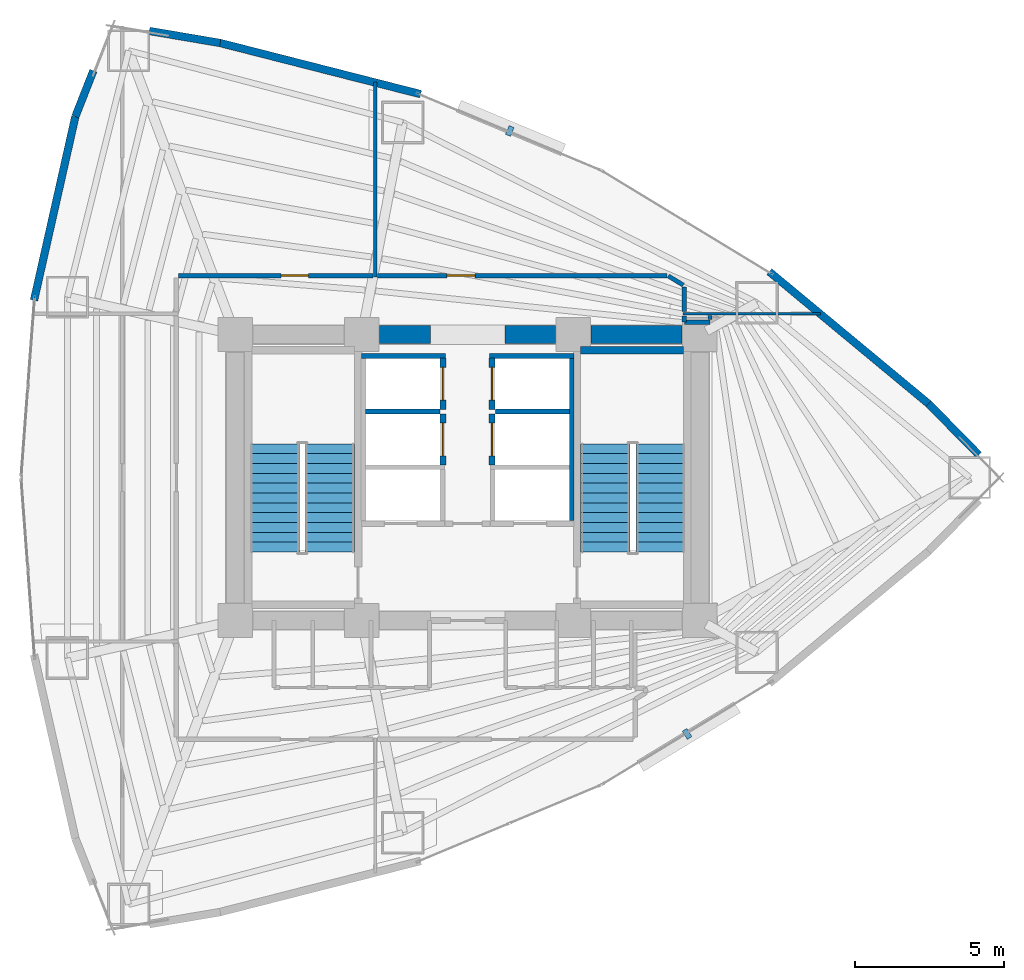
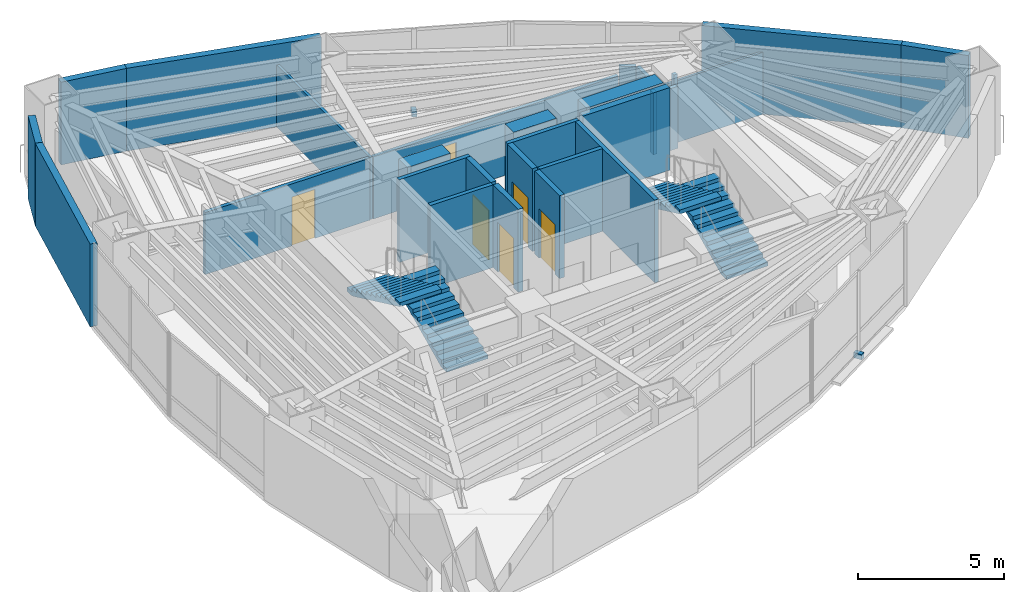
# One storey, part 15 of 17: 28 walls, 6 doors, 4 stair flights, 2 discrete accessories, 6 openings, 2 elements without a shape of their own.
"""IFC4 building model written with IfcOpenShell, lengths in metres."""

from ifc_helpers import new_model, si_unit, direction, frame, frame_2d, origin, origin_2d, place, context, subcontext, project, spatial, polyline, rectangle, outline, extrude, material, layer, layer_set, type_object, element, fill, aggregate, save


model = new_model("IFC4")

# Units and contexts
model_context = context("Model", 3, precision=1e-05, world=origin(), true_north=direction((0.0, 1.0)))
body_context = subcontext(model_context, "Body", "Model", "MODEL_VIEW")
ifc_project = project(units=[si_unit("LENGTHUNIT", "METRE"), si_unit("AREAUNIT", "SQUARE_METRE"), si_unit("VOLUMEUNIT", "CUBIC_METRE"), si_unit("PLANEANGLEUNIT", "RADIAN"), si_unit("MASSUNIT", "GRAM", prefix="KILO")], contexts=[model_context])

# Site, building, storey
site_placement = place(None, origin())
site = spatial("IfcSite", under=ifc_project, at=site_placement, CompositionType="ELEMENT")
building_placement = place(site_placement, origin())
building = spatial("IfcBuilding", under=site, at=building_placement, Name="Menara Vayukalpa", CompositionType="ELEMENT")
storey_placement = place(building_placement, frame((0.0, 0.0, 42.47998046875)))
storey = spatial("IfcBuildingStorey", under=building, at=storey_placement, Name="L09", CompositionType="ELEMENT", Elevation=42.47998046875)

# Walls
ifc_material_1 = material(Name="Concrete C70/85", Category="concrete")
ifc_layer_1 = layer(ifc_material_1, 0.60009765625)
ifc_layer_set_1 = layer_set([ifc_layer_1], Name="Concrete C70/85")
wall_type_1 = type_object("IfcWallType", Name="WAL-CW600", PredefinedType="SHEAR", material=ifc_layer_set_1)
wall_1_placement = place(storey_placement, frame((22.64501953125, 26.800048828125, 0.0), z_axis=(0.0, 0.0, 1.0), x_axis=(1.0, 0.0, 0.0)))
element("IfcWall", 1, at=wall_1_placement, inside=storey, type_object=wall_type_1, Name="L09 Buttressed Core Shear Wall CWN2", PredefinedType="SHEAR", context=body_context, shape_type="SweptSolid", body=[
    extrude(rectangle(XDim=1.705078125, YDim=0.60009765625, at=frame_2d((0.8525390625, 0.0))), origin(), (0.0, 0.0, 1.0), 3.469970703125),
])
wall_2_placement = place(storey_placement, frame((26.85009765625, 26.800048828125, 0.0), z_axis=(0.0, 0.0, 1.0), x_axis=(1.0, 0.0, 0.0)))
element("IfcWall", 2, at=wall_2_placement, inside=storey, type_object=wall_type_1, Name="L09 Buttressed Core Shear Wall CWN3", PredefinedType="SHEAR", context=body_context, shape_type="SweptSolid", body=[
    extrude(rectangle(XDim=1.704833984375, YDim=0.60009765625, at=frame_2d((0.8525390625, 0.0))), origin(), (0.0, 0.0, 1.0), 3.469970703125),
])
wall_3_placement = place(storey_placement, frame((29.7451171875, 26.800048828125, 0.0), z_axis=(0.0, 0.0, 1.0), x_axis=(1.0, 0.0, 0.0)))
element("IfcWall", 3, at=wall_3_placement, inside=storey, type_object=wall_type_1, Name="L09 Buttressed Core Shear Wall CWN4", PredefinedType="SHEAR", context=body_context, shape_type="SweptSolid", body=[
    extrude(rectangle(XDim=3.059814453125, YDim=0.60009765625, at=frame_2d((1.52978515625, 0.0))), origin(), (0.0, 0.0, 1.0), 3.469970703125),
])
ifc_material_2 = material(Name="Insulated Precast Concrete C40/50", Category="concrete")
ifc_layer_2 = layer(ifc_material_2, 0.260009765625)
ifc_layer_set_2 = layer_set([ifc_layer_2], Name="Insulated Precast Concrete C40/50")
wall_type_2 = type_object("IfcWallType", Name="WAL-EXT260", PredefinedType="PARTITIONING", material=ifc_layer_set_2)
wall_4_placement = place(storey_placement, frame((41.08056640625, 24.479248046875, 0.0), z_axis=(0.0, 0.0, 1.0), x_axis=(0.70059851419, -0.713555689427, 0.0)))
element("IfcWall", 4, at=wall_4_placement, inside=storey, type_object=wall_type_2, Name="L09 Perimeter Terracotta Pier Wall 02", PredefinedType="PARTITIONING", context=body_context, shape_type="SweptSolid", body=[
    extrude(rectangle(XDim=2.411865234375, YDim=0.260009765625, at=frame_2d((1.2060546875, 0.0))), origin(), (0.0, 0.0, 1.0), 3.469970703125),
])
for number, where, z_axis, x_axis, name in (
    (5, (35.732421875, 28.91357421875, 0.0), (0.0, 0.0, 1.0), (0.769754596928, -0.638339925517, 0.0), "L09 Perimeter Terracotta Pier Wall 03"),
    (6, (17.28173828125, 36.595703125, 0.0), (0.0, 0.0, 1.0), (0.968977974408, -0.247147092057, 0.0), "L09 Perimeter Terracotta Pier Wall 06"),
):
    element("IfcWall", number, at=place(storey_placement, frame(where, z_axis=z_axis, x_axis=x_axis)), inside=storey, type_object=wall_type_2, Name=name, PredefinedType="PARTITIONING", context=body_context, shape_type="SweptSolid", body=[
        extrude(rectangle(XDim=6.959228515625, YDim=0.260009765625, at=frame_2d((3.4794921875, 0.0))), origin(), (0.0, 0.0, 1.0), 3.469970703125),
    ])
wall_5_placement = place(storey_placement, frame((14.915283203125, 36.996826171875, 0.0), z_axis=(0.0, 0.0, 1.0), x_axis=(0.985905469923, -0.167303330437, 0.0)))
element("IfcWall", 7, at=wall_5_placement, inside=storey, type_object=wall_type_2, Name="L09 Perimeter Terracotta Pier Wall 07", PredefinedType="PARTITIONING", context=body_context, shape_type="SweptSolid", body=[
    extrude(rectangle(XDim=2.412109375, YDim=0.260009765625, at=frame_2d((1.2060546875, 0.0))), origin(), (0.0, 0.0, 1.0), 3.469970703125),
])
wall_6_placement = place(storey_placement, frame((12.427490234375, 34.119140625, 0.0), z_axis=(0.0, 0.0, 1.0), x_axis=(0.365666052462, 0.930746119023, 0.0)))
element("IfcWall", 8, at=wall_6_placement, inside=storey, type_object=wall_type_2, Name="L09 Perimeter Terracotta Pier Wall 08", PredefinedType="PARTITIONING", context=body_context, shape_type="SweptSolid", body=[
    extrude(rectangle(XDim=1.656494140625, YDim=0.260009765625, at=frame_2d((0.828125, 0.0))), origin(), (0.0, 0.0, 1.0), 3.469970703125),
])
wall_7_placement = place(storey_placement, frame((11.0400390625, 27.952392578125, 0.0), z_axis=(0.0, 0.0, 1.0), x_axis=(0.219502085231, 0.975612030768, 0.0)))
element("IfcWall", 9, at=wall_7_placement, inside=storey, type_object=wall_type_2, Name="L09 Perimeter Terracotta Pier Wall 09", PredefinedType="PARTITIONING", context=body_context, shape_type="SweptSolid", body=[
    extrude(rectangle(XDim=6.32080078125, YDim=0.260009765625, at=frame_2d((3.160400390625, 0.0))), origin(), (0.0, 0.0, 1.0), 3.469970703125),
])
ifc_material_3 = material(Name="Lightweight Concrete Blockwork C16/20", Category="masonry")
ifc_layer_3 = layer(ifc_material_3, 0.159912109375)
ifc_layer_set_3 = layer_set([ifc_layer_3], Name="Lightweight Concrete Blockwork C16/20")
wall_type_3 = type_object("IfcWallType", Name="WAL-FR150", PredefinedType="PARTITIONING", material=ifc_layer_set_3)
wall_8_placement = place(storey_placement, frame((22.179931640625, 24.215087890625, 0.0), z_axis=(0.0, 0.0, 1.0), x_axis=(1.0, 0.0, 0.0)))
element("IfcWall", 10, at=wall_8_placement, inside=storey, type_object=wall_type_3, Name="L09 Interior Partition IW-L09-SHM-W23", PredefinedType="PARTITIONING", context=body_context, shape_type="SweptSolid", body=[
    extrude(rectangle(XDim=2.489990234375, YDim=0.159912109375, at=frame_2d((1.2451171875, 0.0))), origin(), (0.0, 0.0, 1.0), 3.469970703125),
])
wall_9_placement = place(storey_placement, frame((22.030029296875, 26.0849609375, 0.0), z_axis=(0.0, 0.0, 1.0), x_axis=(1.0, 0.0, 0.0)))
element("IfcWall", 11, at=wall_9_placement, inside=storey, type_object=wall_type_3, Name="L09 Interior Partition IW-L09-SHM-W3N", PredefinedType="PARTITIONING", context=body_context, shape_type="SweptSolid", body=[
    extrude(rectangle(XDim=2.830078125, YDim=0.159912109375, at=frame_2d((1.4150390625, 0.0))), origin(), (0.0, 0.0, 1.0), 3.469970703125),
])
wall_10_placement = place(storey_placement, frame((29.094970703125, 20.56005859375, 0.0), z_axis=(0.0, 0.0, 1.0), x_axis=(0.0, 1.0, 0.0)))
element("IfcWall", 12, at=wall_10_placement, inside=storey, type_object=wall_type_3, Name="L09 Interior Partition IW-L09-SHW-EE", PredefinedType="PARTITIONING", context=body_context, shape_type="SweptSolid", body=[
    extrude(rectangle(XDim=5.449951171875, YDim=0.159912109375, at=frame_2d((2.72509765625, 0.0))), origin(), (0.0, 0.0, 1.0), 3.469970703125),
])
wall_11_placement = place(storey_placement, frame((26.530029296875, 24.215087890625, 0.0), z_axis=(0.0, 0.0, 1.0), x_axis=(1.0, 0.0, 0.0)))
element("IfcWall", 13, at=wall_11_placement, inside=storey, type_object=wall_type_3, Name="L09 Interior Partition IW-L09-SHM-E32", PredefinedType="PARTITIONING", context=body_context, shape_type="SweptSolid", body=[
    extrude(rectangle(XDim=2.489990234375, YDim=0.159912109375, at=frame_2d((1.2451171875, 0.0))), origin(), (0.0, 0.0, 1.0), 3.469970703125),
])
wall_12_placement = place(storey_placement, frame((26.340087890625, 26.0849609375, 0.0), z_axis=(0.0, 0.0, 1.0), x_axis=(1.0, 0.0, 0.0)))
element("IfcWall", 14, at=wall_12_placement, inside=storey, type_object=wall_type_3, Name="L09 Interior Partition IW-L09-SHM-E2N", PredefinedType="PARTITIONING", context=body_context, shape_type="SweptSolid", body=[
    extrude(rectangle(XDim=2.829833984375, YDim=0.159912109375, at=frame_2d((1.4150390625, 0.0))), origin(), (0.0, 0.0, 1.0), 3.469970703125),
])

# Wall, opening, door
ifc_material_4 = material(Name="Lightweight Concrete Blockwork C16/20", Category="masonry")
ifc_layer_4 = layer(ifc_material_4, 0.199951171875)
ifc_layer_set_4 = layer_set([ifc_layer_4], Name="Lightweight Concrete Blockwork C16/20")
wall_type_4 = type_object("IfcWallType", Name="WAL-FR200", PredefinedType="PARTITIONING", material=ifc_layer_set_4)
wall_13_placement = place(storey_placement, frame((24.780029296875, 22.419921875, 0.0), z_axis=(0.0, 0.0, 1.0), x_axis=(0.0, 1.0, 0.0)))
wall_13 = element("IfcWall", 15, at=wall_13_placement, inside=storey, type_object=wall_type_4, Name="L09 Interior Partition IW-L09-SH-W2", PredefinedType="PARTITIONING", context=body_context, shape_type="SweptSolid", body=[
    extrude(rectangle(XDim=1.719970703125, YDim=0.199951171875, at=frame_2d((0.85986328125, 0.0))), origin(), (0.0, 0.0, 1.0), 3.469970703125),
])
opening_1_placement = place(wall_13_placement, frame((0.31005859375, 0.0, 0.0)))
opening_1 = element("IfcOpeningElement", 16, at=opening_1_placement, cuts=wall_13, Name="Opening LD1", PredefinedType="OPENING", context=body_context, shape_type="SweptSolid", body=[
    extrude(rectangle(XDim=1.10009765625, YDim=2.080078125, at=frame_2d((0.550048828125, 1.0400390625))), frame((0.0, 0.10986328125, 0.0), z_axis=(0.0, -1.0, 0.0), x_axis=(1.0, 0.0, 0.0)), (0.0, 0.0, 1.0), 0.219970703125),
])
ifc_material_5 = material(Name="Brushed Stainless Steel 316 Lift Door", Category="steel")
door_type_1 = type_object("IfcDoorType", Name="DR-LD110", OperationType="NOTDEFINED", PredefinedType="DOOR", material=ifc_material_5)
door_1_placement = place(opening_1_placement, origin())
door_1 = element("IfcDoor", 17, at=door_1_placement, inside=storey, type_object=door_type_1, Name="L09 Interior Door DR-L09-LD-W2", OperationType="DOUBLE_DOOR_SLIDING", OverallHeight=2.080078125, OverallWidth=1.10009765625, PredefinedType="DOOR", context=body_context, shape_type="SweptSolid", body=[
    extrude(rectangle(XDim=1.10009765625, YDim=2.080078125, at=frame_2d((0.550048828125, 1.0400390625))), frame((0.0, 0.02490234375, 0.0), z_axis=(0.0, -1.0, 0.0), x_axis=(1.0, 0.0, 0.0)), (0.0, 0.0, 1.0), 0.050048828125),
])
fill(opening_1, door_1)

wall_14_placement = place(storey_placement, frame((24.780029296875, 24.2900390625, 0.0), z_axis=(0.0, 0.0, 1.0), x_axis=(0.0, 1.0, 0.0)))
wall_14 = element("IfcWall", 18, at=wall_14_placement, inside=storey, type_object=wall_type_4, Name="L09 Interior Partition IW-L09-SH-W3", PredefinedType="PARTITIONING", context=body_context, shape_type="SweptSolid", body=[
    extrude(rectangle(XDim=1.719970703125, YDim=0.199951171875, at=frame_2d((0.85986328125, 0.0))), origin(), (0.0, 0.0, 1.0), 3.469970703125),
])
opening_2_placement = place(wall_14_placement, frame((0.31005859375, 0.0, 0.0)))
opening_2 = element("IfcOpeningElement", 19, at=opening_2_placement, cuts=wall_14, Name="Opening LD1", PredefinedType="OPENING", context=body_context, shape_type="SweptSolid", body=[
    extrude(rectangle(XDim=1.10009765625, YDim=2.080078125, at=frame_2d((0.550048828125, 1.0400390625))), frame((0.0, 0.10986328125, 0.0), z_axis=(0.0, -1.0, 0.0), x_axis=(1.0, 0.0, 0.0)), (0.0, 0.0, 1.0), 0.219970703125),
])
door_2_placement = place(opening_2_placement, origin())
door_2 = element("IfcDoor", 20, at=door_2_placement, inside=storey, type_object=door_type_1, Name="L09 Interior Door DR-L09-LD-W3", OperationType="DOUBLE_DOOR_SLIDING", OverallHeight=2.080078125, OverallWidth=1.10009765625, PredefinedType="DOOR", context=body_context, shape_type="SweptSolid", body=[
    extrude(rectangle(XDim=1.10009765625, YDim=2.080078125, at=frame_2d((0.550048828125, 1.0400390625))), frame((0.0, 0.02490234375, 0.0), z_axis=(0.0, -1.0, 0.0), x_axis=(1.0, 0.0, 0.0)), (0.0, 0.0, 1.0), 0.050048828125),
])
fill(opening_2, door_2)

wall_15_placement = place(storey_placement, frame((26.419921875, 22.419921875, 0.0), z_axis=(0.0, 0.0, 1.0), x_axis=(0.0, 1.0, 0.0)))
wall_15 = element("IfcWall", 21, at=wall_15_placement, inside=storey, type_object=wall_type_4, Name="L09 Interior Partition IW-L09-SH-E3", PredefinedType="PARTITIONING", context=body_context, shape_type="SweptSolid", body=[
    extrude(rectangle(XDim=1.719970703125, YDim=0.199951171875, at=frame_2d((0.85986328125, 0.0))), origin(), (0.0, 0.0, 1.0), 3.469970703125),
])
opening_3_placement = place(wall_15_placement, frame((0.31005859375, 0.0, 0.0)))
opening_3 = element("IfcOpeningElement", 22, at=opening_3_placement, cuts=wall_15, Name="Opening LD1", PredefinedType="OPENING", context=body_context, shape_type="SweptSolid", body=[
    extrude(rectangle(XDim=1.10009765625, YDim=2.080078125, at=frame_2d((0.550048828125, 1.0400390625))), frame((0.0, 0.10986328125, 0.0), z_axis=(0.0, -1.0, 0.0), x_axis=(1.0, 0.0, 0.0)), (0.0, 0.0, 1.0), 0.219970703125),
])
door_3_placement = place(opening_3_placement, origin())
door_3 = element("IfcDoor", 23, at=door_3_placement, inside=storey, type_object=door_type_1, Name="L09 Interior Door DR-L09-LD-E3", OperationType="DOUBLE_DOOR_SLIDING", OverallHeight=2.080078125, OverallWidth=1.10009765625, PredefinedType="DOOR", context=body_context, shape_type="SweptSolid", body=[
    extrude(rectangle(XDim=1.10009765625, YDim=2.080078125, at=frame_2d((0.550048828125, 1.0400390625))), frame((0.0, 0.02490234375, 0.0), z_axis=(0.0, -1.0, 0.0), x_axis=(1.0, 0.0, 0.0)), (0.0, 0.0, 1.0), 0.050048828125),
])
fill(opening_3, door_3)

wall_16_placement = place(storey_placement, frame((26.419921875, 24.2900390625, 0.0), z_axis=(0.0, 0.0, 1.0), x_axis=(0.0, 1.0, 0.0)))
wall_16 = element("IfcWall", 24, at=wall_16_placement, inside=storey, type_object=wall_type_4, Name="L09 Interior Partition IW-L09-SH-E2", PredefinedType="PARTITIONING", context=body_context, shape_type="SweptSolid", body=[
    extrude(rectangle(XDim=1.719970703125, YDim=0.199951171875, at=frame_2d((0.85986328125, 0.0))), origin(), (0.0, 0.0, 1.0), 3.469970703125),
])
opening_4_placement = place(wall_16_placement, frame((0.31005859375, 0.0, 0.0)))
opening_4 = element("IfcOpeningElement", 25, at=opening_4_placement, cuts=wall_16, Name="Opening LD1", PredefinedType="OPENING", context=body_context, shape_type="SweptSolid", body=[
    extrude(rectangle(XDim=1.10009765625, YDim=2.080078125, at=frame_2d((0.550048828125, 1.0400390625))), frame((0.0, 0.10986328125, 0.0), z_axis=(0.0, -1.0, 0.0), x_axis=(1.0, 0.0, 0.0)), (0.0, 0.0, 1.0), 0.219970703125),
])
door_4_placement = place(opening_4_placement, origin())
door_4 = element("IfcDoor", 26, at=door_4_placement, inside=storey, type_object=door_type_1, Name="L09 Interior Door DR-L09-LD-E2", OperationType="DOUBLE_DOOR_SLIDING", OverallHeight=2.080078125, OverallWidth=1.10009765625, PredefinedType="DOOR", context=body_context, shape_type="SweptSolid", body=[
    extrude(rectangle(XDim=1.10009765625, YDim=2.080078125, at=frame_2d((0.550048828125, 1.0400390625))), frame((0.0, 0.02490234375, 0.0), z_axis=(0.0, -1.0, 0.0), x_axis=(1.0, 0.0, 0.0)), (0.0, 0.0, 1.0), 0.050048828125),
])
fill(opening_4, door_4)

# Walls
ifc_material_6 = material(Name="Glazed Demountable Office Partition", Category="glass")
ifc_layer_5 = layer(ifc_material_6, 0.094970703125)
ifc_layer_set_5 = layer_set([ifc_layer_5], Name="Glazed Demountable Office Partition")
wall_type_5 = type_object("IfcWallType", Name="WAL-PT100", PredefinedType="PARTITIONING", material=ifc_layer_set_5)
wall_17_placement = place(storey_placement, frame((32.830078125, 27.5, 0.0), z_axis=(0.0, 0.0, 1.0), x_axis=(1.0, 0.0, 0.0)))
element("IfcWall", 27, at=wall_17_placement, inside=storey, type_object=wall_type_5, Name="L09 Interior Partition IW-L09-RDIV06", PredefinedType="PARTITIONING", context=body_context, shape_type="SweptSolid", body=[
    extrude(rectangle(XDim=4.622802734375, YDim=0.094970703125, at=frame_2d((2.3115234375, 0.0))), origin(), (0.0, 0.0, 1.0), 2.60009765625),
])
ifc_material_7 = material(Name="Acoustic Mineral Stud Partition", Category="masonry")
ifc_layer_6 = layer(ifc_material_7, 0.110107421875)
ifc_layer_set_6 = layer_set([ifc_layer_6], Name="Acoustic Mineral Stud Partition")
wall_type_6 = type_object("IfcWallType", Name="WAL-PT110", PredefinedType="PARTITIONING", material=ifc_layer_set_6)
wall_18_placement = place(storey_placement, frame((22.5, 28.72998046875, 0.0), z_axis=(0.0, 0.0, 1.0), x_axis=(0.0, 1.0, 0.0)))
element("IfcWall", 28, at=wall_18_placement, inside=storey, type_object=wall_type_6, Name="L09 Interior Partition IW-L09-RDIV03", PredefinedType="PARTITIONING", context=body_context, shape_type="SweptSolid", body=[
    extrude(rectangle(XDim=6.545166015625, YDim=0.110107421875, at=frame_2d((3.2724609375, 0.0))), origin(), (0.0, 0.0, 1.0), 2.60009765625),
])
ifc_material_8 = material(Name="Gypsum Drywall Acoustic Stud Assembly", Category="masonry")
ifc_layer_7 = layer(ifc_material_8, 0.14501953125)
ifc_layer_set_7 = layer_set([ifc_layer_7], Name="Gypsum Drywall Acoustic Stud Assembly")
wall_type_7 = type_object("IfcWallType", Name="WAL-PT150", PredefinedType="PARTITIONING", material=ifc_layer_set_7)
wall_19_placement = place(storey_placement, frame((33.739990234375, 27.219970703125, 0.0), z_axis=(0.0, 0.0, 1.0), x_axis=(-1.0, 0.0, 0.0)))
element("IfcWall", 29, at=wall_19_placement, inside=storey, type_object=wall_type_7, Name="L09 Interior Partition IW-L09-CRM04-6", PredefinedType="PARTITIONING", context=body_context, shape_type="SweptSolid", body=[
    extrude(rectangle(XDim=0.860107421875, YDim=0.14501953125, at=frame_2d((0.43017578125, 0.0))), origin(), (0.0, 0.0, 1.0), 2.60009765625),
])
wall_20_placement = place(storey_placement, frame((32.8798828125, 27.219970703125, 0.0), z_axis=(0.0, 0.0, 1.0), x_axis=(0.0, 1.0, 0.0)))
element("IfcWall", 30, at=wall_20_placement, inside=storey, type_object=wall_type_7, Name="L09 Interior Partition IW-L09-CRM04-7", PredefinedType="PARTITIONING", context=body_context, shape_type="SweptSolid", body=[
    extrude(rectangle(XDim=0.2099609375, YDim=0.14501953125, at=frame_2d((0.10498046875, 0.0))), origin(), (0.0, 0.0, 1.0), 2.60009765625),
])
wall_21_placement = place(storey_placement, frame((32.8798828125, 27.570068359375, 0.0), z_axis=(0.0, 0.0, 1.0), x_axis=(0.0, 1.0, 0.0)))
element("IfcWall", 31, at=wall_21_placement, inside=storey, type_object=wall_type_7, Name="L09 Interior Partition IW-L09-CRM05-1", PredefinedType="PARTITIONING", context=body_context, shape_type="SweptSolid", body=[
    extrude(rectangle(XDim=0.82470703125, YDim=0.14501953125, at=frame_2d((0.412353515625, 0.0))), origin(), (0.0, 0.0, 1.0), 3.0),
])
wall_22_placement = place(storey_placement, frame((32.841552734375, 28.463134765625, 0.0), z_axis=(0.0, 0.0, 1.0), x_axis=(-0.854807247113, 0.518945633264, 0.0)))
element("IfcWall", 32, at=wall_22_placement, inside=storey, type_object=wall_type_7, Name="L09 Interior Partition IW-L09-CRM05-2", PredefinedType="PARTITIONING", context=body_context, shape_type="SweptSolid", body=[
    extrude(rectangle(XDim=0.588134765625, YDim=0.14501953125, at=frame_2d((0.2939453125, 0.0))), origin(), (0.0, 0.0, 1.0), 3.0),
])

# Wall, opening, door
wall_23_placement = place(storey_placement, frame((32.29736328125, 28.780029296875, 0.0), z_axis=(0.0, 0.0, 1.0), x_axis=(-1.0, 0.0, 0.0)))
wall_23 = element("IfcWall", 33, at=wall_23_placement, inside=storey, type_object=wall_type_7, Name="L09 Interior Partition IW-L09-CRM05-3", PredefinedType="PARTITIONING", context=body_context, shape_type="SweptSolid", body=[
    extrude(rectangle(XDim=9.727294921875, YDim=0.14501953125, at=frame_2d((4.86376953125, 0.0))), origin(), (0.0, 0.0, 1.0), 2.60009765625),
])
opening_5_placement = place(wall_23_placement, frame((6.443115234375, 0.0, 0.0)))
opening_5 = element("IfcOpeningElement", 34, at=opening_5_placement, cuts=wall_23, Name="Opening ID5", PredefinedType="OPENING", context=body_context, shape_type="SweptSolid", body=[
    extrude(rectangle(XDim=0.949951171875, YDim=2.06005859375, at=frame_2d((0.47509765625, 1.030029296875))), frame((0.0, 0.08251953125, 0.0), z_axis=(0.0, -1.0, 0.0), x_axis=(1.0, 0.0, 0.0)), (0.0, 0.0, 1.0), 0.1650390625),
])
ifc_material_9 = material(Name="Acoustic Hardwood Veneer Timber Door", Category="wood")
door_type_2 = type_object("IfcDoorType", Name="DR-INT95", OperationType="NOTDEFINED", PredefinedType="DOOR", material=ifc_material_9)
door_5_placement = place(opening_5_placement, origin())
door_5 = element("IfcDoor", 35, at=door_5_placement, inside=storey, type_object=door_type_2, Name="L09 Interior Door DR-L09-RM05", OperationType="SINGLE_SWING_LEFT", OverallHeight=2.06005859375, OverallWidth=0.949951171875, PredefinedType="DOOR", context=body_context, shape_type="SweptSolid", body=[
    extrude(rectangle(XDim=0.949951171875, YDim=2.06005859375, at=frame_2d((0.47509765625, 1.030029296875))), frame((0.0, 0.02490234375, 0.0), z_axis=(0.0, -1.0, 0.0), x_axis=(1.0, 0.0, 0.0)), (0.0, 0.0, 1.0), 0.050048828125),
])
fill(opening_5, door_5)

wall_24_placement = place(storey_placement, frame((22.429931640625, 28.780029296875, 0.0), z_axis=(0.0, 0.0, 1.0), x_axis=(-1.0, 0.0, 0.0)))
wall_24 = element("IfcWall", 36, at=wall_24_placement, inside=storey, type_object=wall_type_7, Name="L09 Interior Partition IW-L09-CRM06-1", PredefinedType="PARTITIONING", context=body_context, shape_type="SweptSolid", body=[
    extrude(rectangle(XDim=6.530029296875, YDim=0.14501953125, at=frame_2d((3.26513671875, 0.0))), origin(), (0.0, 0.0, 1.0), 2.60009765625),
])
opening_6_placement = place(wall_24_placement, frame((2.173583984375, 0.0, 0.0)))
opening_6 = element("IfcOpeningElement", 37, at=opening_6_placement, cuts=wall_24, Name="Opening ID6", PredefinedType="OPENING", context=body_context, shape_type="SweptSolid", body=[
    extrude(rectangle(XDim=0.919921875, YDim=2.050048828125, at=frame_2d((0.4599609375, 1.02490234375))), frame((0.0, 0.08251953125, 0.0), z_axis=(0.0, -1.0, 0.0), x_axis=(1.0, 0.0, 0.0)), (0.0, 0.0, 1.0), 0.1650390625),
])
ifc_material_10 = material(Name="Acoustic Hardwood Veneer Timber Door", Category="wood")
door_type_3 = type_object("IfcDoorType", Name="DR-INT92", OperationType="NOTDEFINED", PredefinedType="DOOR", material=ifc_material_10)
door_6_placement = place(opening_6_placement, origin())
door_6 = element("IfcDoor", 38, at=door_6_placement, inside=storey, type_object=door_type_3, Name="L09 Interior Door DR-L09-RM06", OperationType="SINGLE_SWING_RIGHT", OverallHeight=2.050048828125, OverallWidth=0.919921875, PredefinedType="DOOR", context=body_context, shape_type="SweptSolid", body=[
    extrude(rectangle(XDim=0.919921875, YDim=2.050048828125, at=frame_2d((0.4599609375, 1.02490234375))), frame((0.0, 0.02490234375, 0.0), z_axis=(0.0, -1.0, 0.0), x_axis=(1.0, 0.0, 0.0)), (0.0, 0.0, 1.0), 0.050048828125),
])
fill(opening_6, door_6)

# Walls
wall_25_placement = place(storey_placement, frame((33.739990234375, 27.300048828125, 0.0), z_axis=(0.0, 0.0, 1.0), x_axis=(0.0, 1.0, 0.0)))
element("IfcWall", 39, at=wall_25_placement, inside=storey, type_object=wall_type_7, Name="L09 Interior Partition IW-L09-CRM04-6-R0", PredefinedType="PARTITIONING", context=body_context, shape_type="SweptSolid", body=[
    extrude(rectangle(XDim=0.14990234375, YDim=0.14501953125, at=frame_2d((0.074951171875, 0.0))), origin(), (0.0, 0.0, 1.0), 3.0),
])
ifc_material_11 = material(Name="Concrete C50/60", Category="concrete")
ifc_layer_8 = layer(ifc_material_11, 0.25)
ifc_layer_set_8 = layer_set([ifc_layer_8], Name="Concrete C50/60")
wall_type_8 = type_object("IfcWallType", Name="WAL-SW250", PredefinedType="SHEAR", material=ifc_layer_set_8)
wall_26_placement = place(storey_placement, frame((29.39990234375, 26.27490234375, 0.0), z_axis=(0.0, 0.0, 1.0), x_axis=(1.0, 0.0, 0.0)))
element("IfcWall", 40, at=wall_26_placement, inside=storey, type_object=wall_type_8, Name="L09 ST2 Structural Stair Shaft Wall N", PredefinedType="SHEAR", context=body_context, shape_type="SweptSolid", body=[
    extrude(rectangle(XDim=3.446044921875, YDim=0.25, at=frame_2d((1.72314453125, 0.0))), origin(), (0.0, 0.0, 1.0), 3.469970703125),
])

# Stair, stair flights
ifc_material_12 = material(Name="Precast Concrete C40/50", Category="concrete")
stair_type = type_object("IfcStairType", Name="STR-T04", PredefinedType="DOUBLE_RETURN_STAIR", material=ifc_material_12)
stair_1_placement = place(storey_placement, origin())
stair_1 = element("IfcStair", 41, at=stair_1_placement, inside=storey, type_object=stair_type, Name="L09 Core Exit Stair ST-1", PredefinedType="DOUBLE_RETURN_STAIR")
ifc_material_13 = material(Name="Precast Concrete C40/50", Category="concrete")
stair_flight_type = type_object("IfcStairFlightType", Name="STF-T04", PredefinedType="STRAIGHT", material=ifc_material_13)
stair_flight_1_placement = place(storey_placement, frame((20.97509765625, 19.5, 0.0), z_axis=(0.0, 0.0, 1.0), x_axis=(0.0, 1.0, 0.0)))
stair_flight_1 = element("IfcStairFlight", 42, at=stair_flight_1_placement, type_object=stair_flight_type, Name="ST-1 flight 1", NumberOfRisers=12, NumberOfTreads=11, PredefinedType="STRAIGHT", RiserHeight=0.155, TreadLength=0.33, context=body_context, shape_type="SweptSolid", body=[
    extrude(outline(polyline([(0.0, 0.0), (0.0, 0.155029296875), (0.330078125, 0.155029296875), (0.330078125, 0.31005859375), (0.659912109375, 0.31005859375), (0.659912109375, 0.465087890625), (0.989990234375, 0.465087890625), (0.989990234375, 0.6201171875), (1.320068359375, 0.6201171875), (1.320068359375, 0.77490234375), (1.64990234375, 0.77490234375), (1.64990234375, 0.929931640625), (1.97998046875, 0.929931640625), (1.97998046875, 1.0849609375), (2.31005859375, 1.0849609375), (2.31005859375, 1.239990234375), (2.639892578125, 1.239990234375), (2.639892578125, 1.39501953125), (2.969970703125, 1.39501953125), (2.969970703125, 1.550048828125), (3.300048828125, 1.550048828125), (3.300048828125, 1.705078125), (3.6298828125, 1.705078125), (3.6298828125, 1.860107421875), (3.6298828125, 1.539306640625), (0.3525390625, 0.0), (0.0, 0.0)])), frame((0.0, 0.824951171875, 0.0), z_axis=(0.0, -1.0, 0.0), x_axis=(1.0, 0.0, 0.0)), (0.0, 0.0, 1.0), 1.64990234375),
])
stair_flight_2_placement = place(storey_placement, frame((19.125, 23.1298828125, 1.860107421875), z_axis=(0.0, 0.0, 1.0), x_axis=(0.0, -1.0, 0.0)))
stair_flight_2 = element("IfcStairFlight", 43, at=stair_flight_2_placement, type_object=stair_flight_type, Name="ST-1 flight 2", NumberOfRisers=12, NumberOfTreads=11, PredefinedType="STRAIGHT", RiserHeight=0.155, TreadLength=0.33, context=body_context, shape_type="SweptSolid", body=[
    extrude(outline(polyline([(0.0, 0.0), (0.0, 0.155029296875), (0.330078125, 0.155029296875), (0.330078125, 0.31005859375), (0.659912109375, 0.31005859375), (0.659912109375, 0.465087890625), (0.989990234375, 0.465087890625), (0.989990234375, 0.6201171875), (1.320068359375, 0.6201171875), (1.320068359375, 0.77490234375), (1.64990234375, 0.77490234375), (1.64990234375, 0.929931640625), (1.97998046875, 0.929931640625), (1.97998046875, 1.0849609375), (2.31005859375, 1.0849609375), (2.31005859375, 1.239990234375), (2.639892578125, 1.239990234375), (2.639892578125, 1.39501953125), (2.969970703125, 1.39501953125), (2.969970703125, 1.550048828125), (3.300048828125, 1.550048828125), (3.300048828125, 1.705078125), (3.6298828125, 1.705078125), (3.6298828125, 1.860107421875), (3.6298828125, 1.539306640625), (0.3525390625, 0.0), (0.0, 0.0)])), frame((0.0, 0.824951171875, 0.0), z_axis=(0.0, -1.0, 0.0), x_axis=(1.0, 0.0, 0.0)), (0.0, 0.0, 1.0), 1.64990234375),
])
aggregate(stair_1, [stair_flight_1, stair_flight_2])

stair_2_placement = place(storey_placement, origin())
stair_2 = element("IfcStair", 44, at=stair_2_placement, inside=storey, type_object=stair_type, Name="L09 Core Exit Stair ST-2", PredefinedType="DOUBLE_RETURN_STAIR")
stair_flight_3_placement = place(storey_placement, frame((32.074951171875, 19.5, 0.0), z_axis=(0.0, 0.0, 1.0), x_axis=(0.0, 1.0, 0.0)))
stair_flight_3 = element("IfcStairFlight", 45, at=stair_flight_3_placement, type_object=stair_flight_type, Name="ST-2 flight 1", NumberOfRisers=12, NumberOfTreads=11, PredefinedType="STRAIGHT", RiserHeight=0.155, TreadLength=0.33, context=body_context, shape_type="SweptSolid", body=[
    extrude(outline(polyline([(0.0, 0.0), (0.0, 0.155029296875), (0.330078125, 0.155029296875), (0.330078125, 0.31005859375), (0.659912109375, 0.31005859375), (0.659912109375, 0.465087890625), (0.989990234375, 0.465087890625), (0.989990234375, 0.6201171875), (1.320068359375, 0.6201171875), (1.320068359375, 0.77490234375), (1.64990234375, 0.77490234375), (1.64990234375, 0.929931640625), (1.97998046875, 0.929931640625), (1.97998046875, 1.0849609375), (2.31005859375, 1.0849609375), (2.31005859375, 1.239990234375), (2.639892578125, 1.239990234375), (2.639892578125, 1.39501953125), (2.969970703125, 1.39501953125), (2.969970703125, 1.550048828125), (3.300048828125, 1.550048828125), (3.300048828125, 1.705078125), (3.6298828125, 1.705078125), (3.6298828125, 1.860107421875), (3.6298828125, 1.539306640625), (0.3525390625, 0.0), (0.0, 0.0)])), frame((0.0, 0.824951171875, 0.0), z_axis=(0.0, -1.0, 0.0), x_axis=(1.0, 0.0, 0.0)), (0.0, 0.0, 1.0), 1.64990234375),
])
stair_flight_4_placement = place(storey_placement, frame((30.22509765625, 23.1298828125, 1.860107421875), z_axis=(0.0, 0.0, 1.0), x_axis=(0.0, -1.0, 0.0)))
stair_flight_4 = element("IfcStairFlight", 46, at=stair_flight_4_placement, type_object=stair_flight_type, Name="ST-2 flight 2", NumberOfRisers=12, NumberOfTreads=11, PredefinedType="STRAIGHT", RiserHeight=0.155, TreadLength=0.33, context=body_context, shape_type="SweptSolid", body=[
    extrude(outline(polyline([(0.0, 0.0), (0.0, 0.155029296875), (0.330078125, 0.155029296875), (0.330078125, 0.31005859375), (0.659912109375, 0.31005859375), (0.659912109375, 0.465087890625), (0.989990234375, 0.465087890625), (0.989990234375, 0.6201171875), (1.320068359375, 0.6201171875), (1.320068359375, 0.77490234375), (1.64990234375, 0.77490234375), (1.64990234375, 0.929931640625), (1.97998046875, 0.929931640625), (1.97998046875, 1.0849609375), (2.31005859375, 1.0849609375), (2.31005859375, 1.239990234375), (2.639892578125, 1.239990234375), (2.639892578125, 1.39501953125), (2.969970703125, 1.39501953125), (2.969970703125, 1.550048828125), (3.300048828125, 1.550048828125), (3.300048828125, 1.705078125), (3.6298828125, 1.705078125), (3.6298828125, 1.860107421875), (3.6298828125, 1.539306640625), (0.3525390625, 0.0), (0.0, 0.0)])), frame((0.0, 0.824951171875, 0.0), z_axis=(0.0, -1.0, 0.0), x_axis=(1.0, 0.0, 0.0)), (0.0, 0.0, 1.0), 1.64990234375),
])
aggregate(stair_2, [stair_flight_3, stair_flight_4])

# Discrete accessories
ifc_material_14 = material(Name="Stainless Steel 316 Sunshade Bracket", Category="steel")
discrete_accessory_type = type_object("IfcDiscreteAccessoryType", Name="ACC-BRK1", PredefinedType="BRACKET", material=ifc_material_14)
for number, where, z_axis, x_axis, name in (
    (47, (27.018310546875, 33.638916015625, -0.16015625), (0.0, 0.0, 1.0), (-0.922544824647, 0.385889940938, 0.0), "L09 Terracotta Sunshade Bracket 05"),
    (48, (32.9716796875, 13.39306640625, -0.16015625), (0.0, 0.0, 1.0), (0.85466730962, 0.519176068272, 0.0), "L09 Terracotta Sunshade Bracket 17"),
):
    element("IfcDiscreteAccessory", number, at=place(storey_placement, frame(where, z_axis=z_axis, x_axis=x_axis)), inside=storey, type_object=discrete_accessory_type, Name=name, PredefinedType="BRACKET", context=body_context, shape_type="SweptSolid", body=[
        extrude(rectangle(XDim=0.179931640625, YDim=0.320068359375, at=origin_2d()), origin(), (0.0, 0.0, 1.0), 0.219970703125),
    ])

save(model, "model.ifc")
